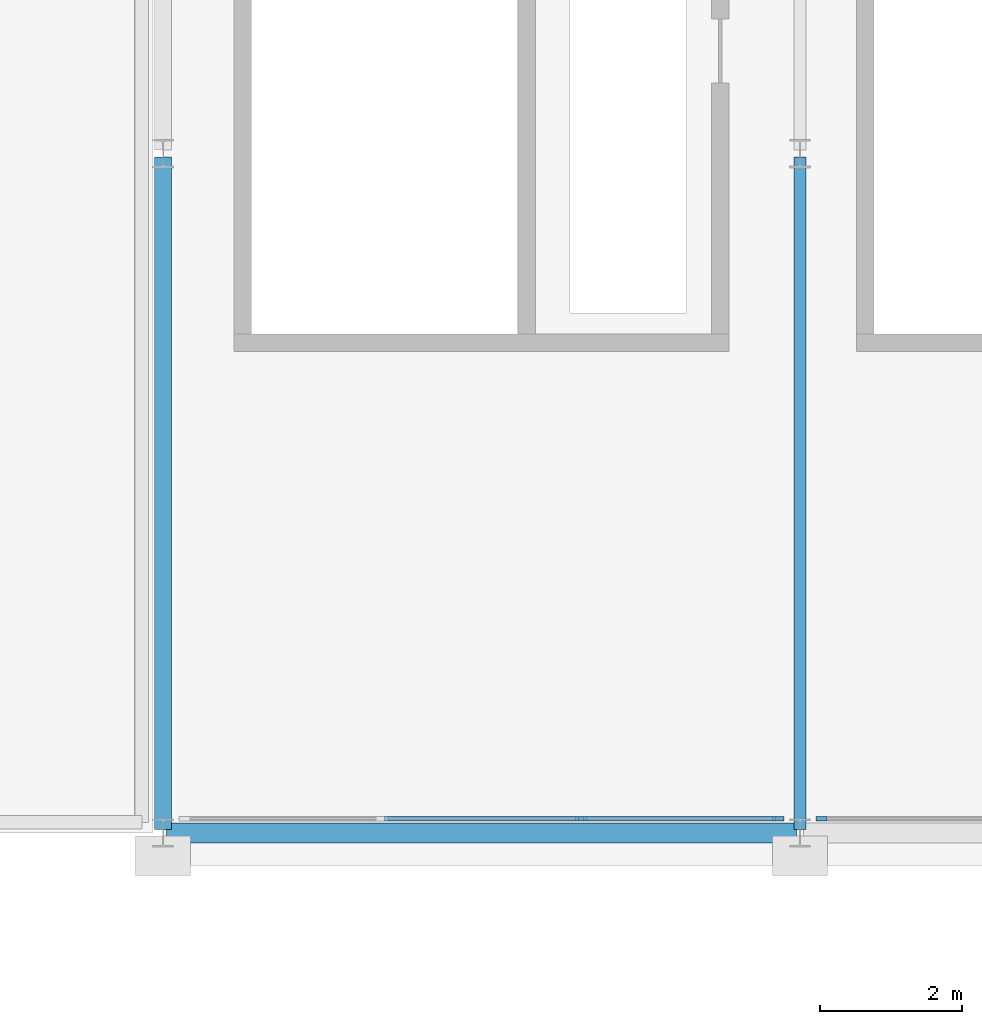
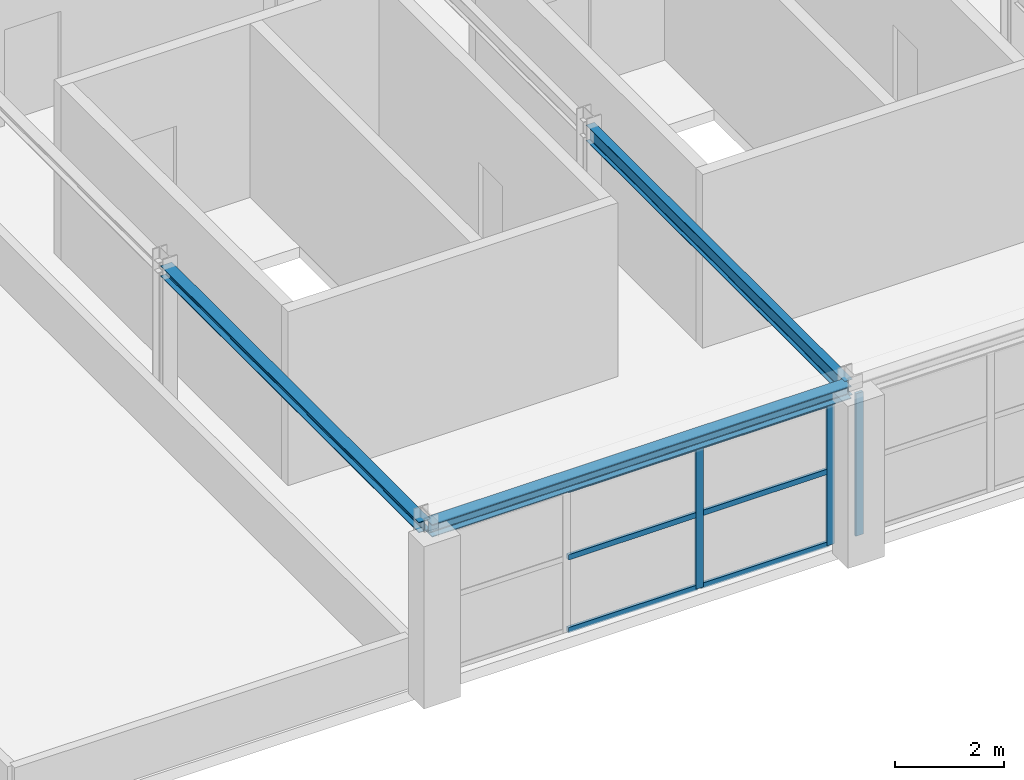
# One storey, part 22 of 52: 9 members, 3 beams, 2 elements without a shape of their own.
"""IFC4 building model written with IfcOpenShell, lengths in metres."""

from ifc_helpers import new_model, si_unit, direction, frame, origin, origin_2d, place, context, subcontext, project, spatial, rectangle, i_section, extrude, material, layer, layer_set, material_profile, profile_set, type_object, element, aggregate, save


model = new_model("IFC4")

# Units and contexts
model_context = context("Model", 3, precision=1e-05, world=origin(), true_north=direction((0.0, 1.0)))
body_context = subcontext(model_context, "Body", "Model", "MODEL_VIEW")
ifc_project = project(units=[si_unit("LENGTHUNIT", "METRE"), si_unit("AREAUNIT", "SQUARE_METRE"), si_unit("VOLUMEUNIT", "CUBIC_METRE"), si_unit("PLANEANGLEUNIT", "RADIAN"), si_unit("MASSUNIT", "GRAM", prefix="KILO")], contexts=[model_context])

# Site, building, storey
site_placement = place(None, origin())
site = spatial("IfcSite", under=ifc_project, at=site_placement, CompositionType="ELEMENT")
building_placement = place(site_placement, origin())
building = spatial("IfcBuilding", under=site, at=building_placement, Name="Myrtia Square Station", CompositionType="ELEMENT")
storey_placement = place(building_placement, frame((0.0, 0.0, 15.0)))
storey = spatial("IfcBuildingStorey", under=building, at=storey_placement, Name="L03", CompositionType="ELEMENT", Elevation=15.0)

# Beam
ifc_material_1 = material(Name="Steel S355", Category="steel")
ifc_material_profile_1 = material_profile(ifc_material_1, i_section(OverallWidth=0.169921875, OverallDepth=0.360107421875, WebThickness=0.008056640625, FlangeThickness=0.0126953125, FilletRadius=0.01806640625, at=origin_2d()), Name="IPE 360")
ifc_profile_set_1 = profile_set([ifc_material_profile_1], Name="Steel S355")
beam_type_1 = type_object("IfcBeamType", Name="BM-IPE360", PredefinedType="BEAM", material=ifc_profile_set_1)
beam_1_placement = place(storey_placement, frame((135.0, 86.449951171875, 3.47998046875), z_axis=(0.0, 1.0, 0.0), x_axis=(-1.0, 0.0, 0.0)))
element("IfcBeam", 1, at=beam_1_placement, inside=storey, type_object=beam_type_1, Name="Structural girder BMY-L03-0843", PredefinedType="BEAM", context=body_context, shape_type="SweptSolid", body=[
    extrude(i_section(OverallWidth=0.169921875, OverallDepth=0.360107421875, WebThickness=0.008056640625, FlangeThickness=0.0126953125, FilletRadius=0.01806640625, at=origin_2d()), origin(), (0.0, 0.0, 1.0), 9.5),
])

# Curtain wall, members
ifc_material_2 = material(Name="Dark bronze anodised aluminium", Category="aluminium")
ifc_layer = layer(ifc_material_2, 0.159912109375, Name="Dark bronze anodised aluminium")
ifc_layer_set = layer_set([ifc_layer], Name="Dark bronze anodised aluminium")
curtain_wall_type = type_object("IfcCurtainWallType", Name="CW-TYPE-41-845x320", PredefinedType="USERDEFINED", material=ifc_layer_set)
curtain_wall_1_placement = place(storey_placement, origin())
curtain_wall_1 = element("IfcCurtainWall", 2, at=curtain_wall_1_placement, inside=storey, type_object=curtain_wall_type, Name="Concourse curtain wall CW-L03-120", ObjectType="CONCOURSE CURTAIN WALL", PredefinedType="USERDEFINED")
ifc_material_profile_2 = material_profile(ifc_material_2, rectangle(XDim=0.06005859375, YDim=0.159912109375, at=origin_2d()), Name="ALU-M 60x160")
ifc_profile_set_2 = profile_set([ifc_material_profile_2], Name="Dark bronze anodised aluminium")
member_type_1 = type_object("IfcMemberType", Name="CWM-60x160", PredefinedType="MULLION", material=ifc_profile_set_2)
member_1_placement = place(storey_placement, frame((131.908447265625, 86.60009765625, 0.0), z_axis=(0.0, 0.0, 1.0), x_axis=(0.0, 1.0, 0.0)))
member_1 = element("IfcMember", 3, at=member_1_placement, type_object=member_type_1, Name="CW-120 mullion 3", PredefinedType="MULLION", context=body_context, shape_type="SweptSolid", body=[
    extrude(rectangle(XDim=0.06005859375, YDim=0.159912109375, at=origin_2d()), origin(), (0.0, 0.0, 1.0), 3.199951171875),
])
member_2_placement = place(storey_placement, frame((134.695068359375, 86.60009765625, 0.0), z_axis=(0.0, 0.0, 1.0), x_axis=(0.0, 1.0, 0.0)))
member_2 = element("IfcMember", 4, at=member_2_placement, type_object=member_type_1, Name="CW-120 mullion 4", PredefinedType="MULLION", context=body_context, shape_type="SweptSolid", body=[
    extrude(rectangle(XDim=0.06005859375, YDim=0.159912109375, at=origin_2d()), origin(), (0.0, 0.0, 1.0), 3.199951171875),
])

# Curtain wall, member
curtain_wall_2_placement = place(storey_placement, origin())
curtain_wall_2 = element("IfcCurtainWall", 5, at=curtain_wall_2_placement, inside=storey, type_object=curtain_wall_type, Name="Concourse curtain wall CW-L03-125", ObjectType="CONCOURSE CURTAIN WALL", PredefinedType="USERDEFINED")
member_3_placement = place(storey_placement, frame((135.304931640625, 86.60009765625, 0.0), z_axis=(0.0, 0.0, 1.0), x_axis=(0.0, 1.0, 0.0)))
member_3 = element("IfcMember", 6, at=member_3_placement, type_object=member_type_1, Name="CW-125 mullion 1", PredefinedType="MULLION", context=body_context, shape_type="SweptSolid", body=[
    extrude(rectangle(XDim=0.06005859375, YDim=0.159912109375, at=origin_2d()), origin(), (0.0, 0.0, 1.0), 3.199951171875),
])
aggregate(curtain_wall_2, [member_3])

# Member
ifc_material_profile_3 = material_profile(ifc_material_2, rectangle(XDim=0.06005859375, YDim=0.1201171875, at=origin_2d()), Name="ALU-T 60x120")
ifc_profile_set_3 = profile_set([ifc_material_profile_3], Name="Dark bronze anodised aluminium")
member_type_2 = type_object("IfcMemberType", Name="CWT-60x120", PredefinedType="USERDEFINED", material=ifc_profile_set_3)
member_4_placement = place(storey_placement, frame((129.12158203125, 86.60009765625, 0.030029296875), z_axis=(1.0, 0.0, 0.0), x_axis=(0.0, 1.0, 0.0)))
member_4 = element("IfcMember", 7, at=member_4_placement, type_object=member_type_2, Name="CW-120 transom 2.1", ObjectType="TRANSOM", PredefinedType="USERDEFINED", context=body_context, shape_type="SweptSolid", body=[
    extrude(rectangle(XDim=0.06005859375, YDim=0.1201171875, at=origin_2d()), origin(), (0.0, 0.0, 1.0), 2.7568359375),
])

member_5_placement = place(storey_placement, frame((129.12158203125, 86.60009765625, 1.6640625), z_axis=(1.0, 0.0, 0.0), x_axis=(0.0, 1.0, 0.0)))
member_5 = element("IfcMember", 8, at=member_5_placement, type_object=member_type_2, Name="CW-120 transom 2.2", ObjectType="TRANSOM", PredefinedType="USERDEFINED", context=body_context, shape_type="SweptSolid", body=[
    extrude(rectangle(XDim=0.06005859375, YDim=0.1201171875, at=origin_2d()), origin(), (0.0, 0.0, 1.0), 2.7568359375),
])

member_6_placement = place(storey_placement, frame((129.12158203125, 86.60009765625, 3.169921875), z_axis=(1.0, 0.0, 0.0), x_axis=(0.0, 1.0, 0.0)))
member_6 = element("IfcMember", 9, at=member_6_placement, type_object=member_type_2, Name="CW-120 transom 2.3", ObjectType="TRANSOM", PredefinedType="USERDEFINED", context=body_context, shape_type="SweptSolid", body=[
    extrude(rectangle(XDim=0.06005859375, YDim=0.1201171875, at=origin_2d()), origin(), (0.0, 0.0, 1.0), 2.7568359375),
])

member_7_placement = place(storey_placement, frame((131.938232421875, 86.60009765625, 0.030029296875), z_axis=(1.0, 0.0, 0.0), x_axis=(0.0, 1.0, 0.0)))
member_7 = element("IfcMember", 10, at=member_7_placement, type_object=member_type_2, Name="CW-120 transom 3.1", ObjectType="TRANSOM", PredefinedType="USERDEFINED", context=body_context, shape_type="SweptSolid", body=[
    extrude(rectangle(XDim=0.06005859375, YDim=0.1201171875, at=origin_2d()), origin(), (0.0, 0.0, 1.0), 2.726806640625),
])

member_8_placement = place(storey_placement, frame((131.938232421875, 86.60009765625, 1.6640625), z_axis=(1.0, 0.0, 0.0), x_axis=(0.0, 1.0, 0.0)))
member_8 = element("IfcMember", 11, at=member_8_placement, type_object=member_type_2, Name="CW-120 transom 3.2", ObjectType="TRANSOM", PredefinedType="USERDEFINED", context=body_context, shape_type="SweptSolid", body=[
    extrude(rectangle(XDim=0.06005859375, YDim=0.1201171875, at=origin_2d()), origin(), (0.0, 0.0, 1.0), 2.726806640625),
])

member_9_placement = place(storey_placement, frame((131.938232421875, 86.60009765625, 3.169921875), z_axis=(1.0, 0.0, 0.0), x_axis=(0.0, 1.0, 0.0)))
member_9 = element("IfcMember", 12, at=member_9_placement, type_object=member_type_2, Name="CW-120 transom 3.3", ObjectType="TRANSOM", PredefinedType="USERDEFINED", context=body_context, shape_type="SweptSolid", body=[
    extrude(rectangle(XDim=0.06005859375, YDim=0.1201171875, at=origin_2d()), origin(), (0.0, 0.0, 1.0), 2.726806640625),
])

aggregate(curtain_wall_1, [member_1, member_2, member_4, member_5, member_6, member_7, member_8, member_9])

# Beams
ifc_material_profile_4 = material_profile(ifc_material_1, i_section(OverallWidth=0.239990234375, OverallDepth=0.239990234375, WebThickness=0.010009765625, FlangeThickness=0.01708984375, FilletRadius=0.02099609375, at=origin_2d()), Name="HEB 240")
ifc_profile_set_4 = profile_set([ifc_material_profile_4], Name="Steel S355")
beam_type_2 = type_object("IfcBeamType", Name="SPN-HEB240", PredefinedType="SPANDREL", material=ifc_profile_set_4)
beam_2_placement = place(storey_placement, frame((126.0, 86.449951171875, 3.5400390625), z_axis=(0.0, 1.0, 0.0), x_axis=(-1.0, 0.0, 0.0)))
element("IfcBeam", 13, at=beam_2_placement, inside=storey, type_object=beam_type_2, Name="Structural girder SPNY-L03-0249", PredefinedType="SPANDREL", context=body_context, shape_type="SweptSolid", body=[
    extrude(i_section(OverallWidth=0.239990234375, OverallDepth=0.239990234375, WebThickness=0.010009765625, FlangeThickness=0.01708984375, FilletRadius=0.02099609375, at=origin_2d()), origin(), (0.0, 0.0, 1.0), 9.5),
])
ifc_material_profile_5 = material_profile(ifc_material_1, i_section(OverallWidth=0.280029296875, OverallDepth=0.280029296875, WebThickness=0.010498046875, FlangeThickness=0.01806640625, FilletRadius=0.02392578125, at=origin_2d()), Name="HEB 280")
ifc_profile_set_5 = profile_set([ifc_material_profile_5], Name="Steel S355")
beam_type_3 = type_object("IfcBeamType", Name="SPN-HEB280", PredefinedType="SPANDREL", material=ifc_profile_set_5)
beam_3_placement = place(storey_placement, frame((126.050048828125, 86.39990234375, 3.52001953125), z_axis=(1.0, 0.0, 0.0), x_axis=(0.0, 1.0, 0.0)))
element("IfcBeam", 14, at=beam_3_placement, inside=storey, type_object=beam_type_3, Name="Structural girder SPN-L03-0235", PredefinedType="SPANDREL", context=body_context, shape_type="SweptSolid", body=[
    extrude(i_section(OverallWidth=0.280029296875, OverallDepth=0.280029296875, WebThickness=0.010498046875, FlangeThickness=0.01806640625, FilletRadius=0.02392578125, at=origin_2d()), origin(), (0.0, 0.0, 1.0), 8.89990234375),
])

save(model, "model.ifc")
